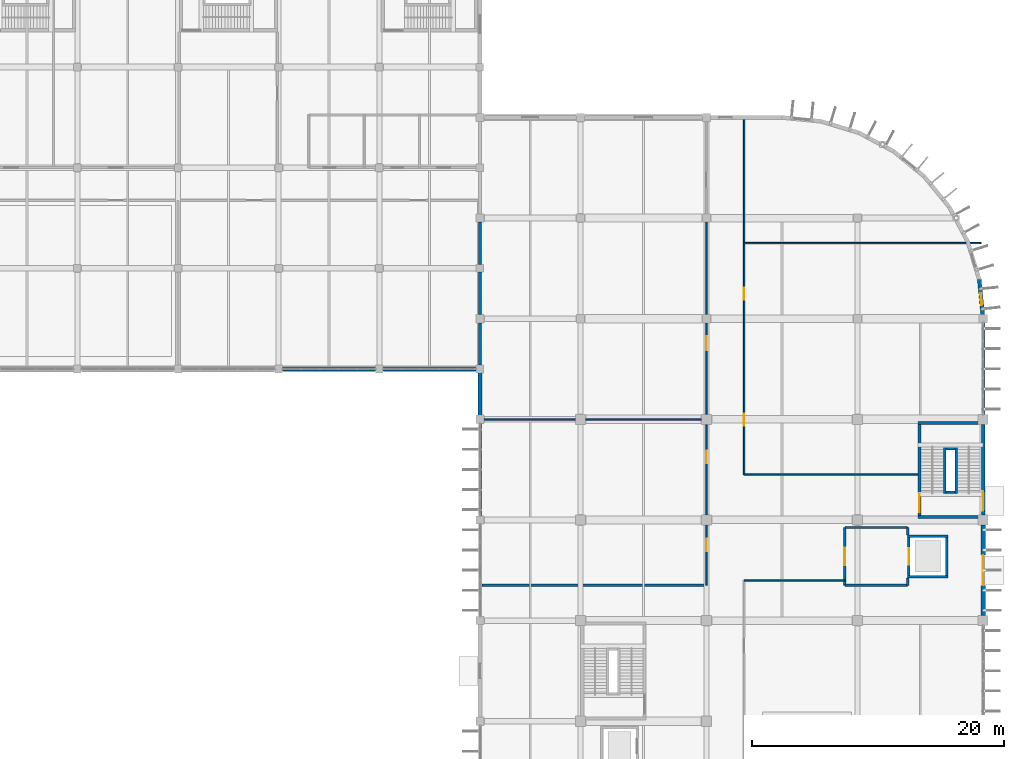
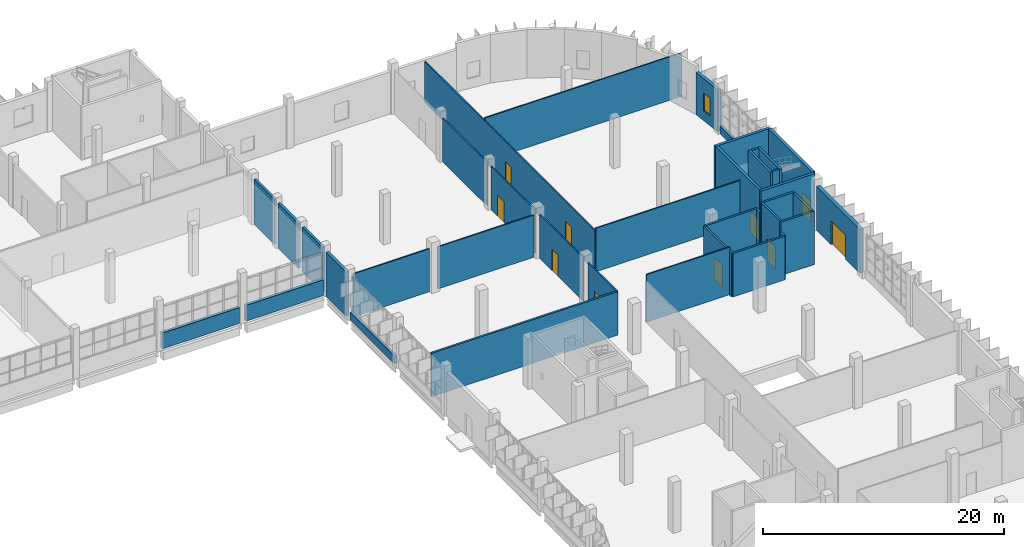
# One storey, part 82 of 103: 38 walls, 10 doors, 1 window, 11 openings.
"""IFC4 building model written with IfcOpenShell, lengths in metres."""

from ifc_helpers import new_model, si_unit, direction, frame, frame_2d, origin, place, context, subcontext, project, spatial, rectangle, extrude, material, layer, layer_set, type_object, element, fill, save


model = new_model("IFC4")

# Units and contexts
model_context = context("Model", 3, precision=1e-05, world=origin(), true_north=direction((0.0, 1.0)))
body_context = subcontext(model_context, "Body", "Model", "MODEL_VIEW")
ifc_project = project(units=[si_unit("LENGTHUNIT", "METRE"), si_unit("AREAUNIT", "SQUARE_METRE"), si_unit("VOLUMEUNIT", "CUBIC_METRE"), si_unit("PLANEANGLEUNIT", "RADIAN"), si_unit("MASSUNIT", "GRAM", prefix="KILO")], contexts=[model_context])

# Site, building, storey
site_placement = place(None, origin())
site = spatial("IfcSite", under=ifc_project, at=site_placement, CompositionType="ELEMENT")
building_placement = place(site_placement, origin())
building = spatial("IfcBuilding", under=site, at=building_placement, Name="Drelvana Railside Aquatics Centre", CompositionType="ELEMENT")
storey_placement = place(building_placement, origin())
storey = spatial("IfcBuildingStorey", under=building, at=storey_placement, Name="L00", CompositionType="ELEMENT", Elevation=0.0)

# Walls
ifc_material_1 = material(Name="Concrete blockwork compartment wall", Category="masonry")
ifc_layer_1 = layer(ifc_material_1, 0.18505859375, Name="Concrete blockwork compartment wall")
ifc_layer_set_1 = layer_set([ifc_layer_1], Name="Concrete blockwork compartment wall")
wall_type_1 = type_object("IfcWallType", Name="WL-COMP-185", PredefinedType="STANDARD", material=ifc_layer_set_1)
for number, where, z_axis, x_axis, name in (
    (1, (178.0, 66.800048828125, 0.0), (0.0, 0.0, 1.0), (-1.0, 0.0, 0.0), "Firefighting lobby FL-02 S wall (L00)"),
    (2, (173.0, 71.39990234375, 0.0), (0.0, 0.0, 1.0), (1.0, 0.0, 0.0), "Firefighting lobby FL-02 N wall (L00)"),
):
    element("IfcWall", number, at=place(storey_placement, frame(where, z_axis=z_axis, x_axis=x_axis)), inside=storey, type_object=wall_type_1, Name=name, PredefinedType="STANDARD", context=body_context, shape_type="SweptSolid", body=[
        extrude(rectangle(XDim=5.0, YDim=0.18505859375, at=frame_2d((2.5, 0.0))), origin(), (0.0, 0.0, 1.0), 4.405029296875),
    ])

# Wall, opening, door
wall_1_placement = place(storey_placement, frame((173.0, 66.800048828125, 0.0), z_axis=(0.0, 0.0, 1.0), x_axis=(0.0, 1.0, 0.0)))
wall_1 = element("IfcWall", 3, at=wall_1_placement, inside=storey, type_object=wall_type_1, Name="Firefighting lobby FL-02 COR wall (L00)", PredefinedType="STANDARD", context=body_context, shape_type="SweptSolid", body=[
    extrude(rectangle(XDim=4.599853515625, YDim=0.18505859375, at=frame_2d((2.2998046875, 0.0))), origin(), (0.0, 0.0, 1.0), 4.405029296875),
])
opening_1_placement = place(wall_1_placement, frame((1.60009765625, 0.0, 0.0)))
opening_1 = element("IfcOpeningElement", 4, at=opening_1_placement, cuts=wall_1, Name="Opening D-03-062", PredefinedType="OPENING", context=body_context, shape_type="SweptSolid", body=[
    extrude(rectangle(XDim=1.39990234375, YDim=2.199951171875, at=frame_2d((0.699951171875, 1.10009765625))), frame((0.0, 0.1025390625, 0.0), z_axis=(0.0, -1.0, 0.0), x_axis=(1.0, 0.0, 0.0)), (0.0, 0.0, 1.0), 0.205078125),
])
ifc_material_2 = material(Name="Firefighting lobby door", Category="wood")
door_type_1 = type_object("IfcDoorType", Name="DR-INT-FFLOB-1400x2200", OperationType="DOUBLE_DOOR_SINGLE_SWING", PredefinedType="DOOR", material=ifc_material_2)
door_1_placement = place(opening_1_placement, origin())
door_1 = element("IfcDoor", 5, at=door_1_placement, inside=storey, type_object=door_type_1, Name="Firefighting lobby FL-02 door D-03-062", OperationType="DOUBLE_DOOR_SINGLE_SWING", OverallHeight=2.199951171875, OverallWidth=1.39990234375, PredefinedType="DOOR", context=body_context, shape_type="SweptSolid", body=[
    extrude(rectangle(XDim=1.39990234375, YDim=2.199951171875, at=frame_2d((0.699951171875, 1.10009765625))), frame((0.0, 0.02490234375, 0.0), z_axis=(0.0, -1.0, 0.0), x_axis=(1.0, 0.0, 0.0)), (0.0, 0.0, 1.0), 0.050048828125),
])
fill(opening_1, door_1)

# Walls
for number, where, z_axis, x_axis, name in (
    (6, (178.0, 66.800048828125, 0.0), (0.0, 0.0, 1.0), (0.0, 1.0, 0.0), "Firefighting lobby FL-02 SHS wall (L00)"),
    (7, (178.0, 70.800048828125, 0.0), (0.0, 0.0, 1.0), (0.0, 1.0, 0.0), "Firefighting lobby FL-02 SHN wall (L00)"),
):
    element("IfcWall", number, at=place(storey_placement, frame(where, z_axis=z_axis, x_axis=x_axis)), inside=storey, type_object=wall_type_1, Name=name, PredefinedType="STANDARD", context=body_context, shape_type="SweptSolid", body=[
        extrude(rectangle(XDim=0.599853515625, YDim=0.18505859375, at=frame_2d((0.2998046875, 0.0))), origin(), (0.0, 0.0, 1.0), 4.405029296875),
    ])
wall_2_placement = place(storey_placement, frame((144.14990234375, 66.800048828125, 0.0), z_axis=(0.0, 0.0, 1.0), x_axis=(1.0, 0.0, 0.0)))
element("IfcWall", 8, at=wall_2_placement, inside=storey, type_object=wall_type_1, Name="L00 North-west exit passage N wall", PredefinedType="STANDARD", context=body_context, shape_type="SweptSolid", body=[
    extrude(rectangle(XDim=17.85009765625, YDim=0.18505859375, at=frame_2d((8.925048828125, 0.0))), origin(), (0.0, 0.0, 1.0), 4.405029296875),
])
ifc_material_3 = material(Name="Autoclaved aerated concrete masonry", Category="masonry")
ifc_layer_2 = layer(ifc_material_3, 0.22509765625, Name="Autoclaved aerated concrete masonry")
ifc_layer_set_2 = layer_set([ifc_layer_2], Name="Autoclaved aerated concrete masonry")
wall_type_2 = type_object("IfcWallType", Name="WL-COMP-225", PredefinedType="STANDARD", material=ifc_layer_set_2)
for number, where, z_axis, x_axis, name in (
    (9, (144.0, 84.302001953125, 0.0), (0.0, 0.0, 1.0), (0.0, 1.0, 0.0), "L00 Changing-Wing compartment wall"),
    (10, (144.0, 88.326904296875, 0.0), (0.0, 0.0, 1.0), (0.0, 1.0, 0.0), "L00 Changing-Wing compartment wall"),
    (11, (144.0, 92.302001953125, 0.0), (0.0, 0.0, 1.0), (0.0, 1.0, 0.0), "L00 Changing-Wing compartment wall"),
):
    element("IfcWall", number, at=place(storey_placement, frame(where, z_axis=z_axis, x_axis=x_axis)), inside=storey, type_object=wall_type_2, Name=name, PredefinedType="STANDARD", context=body_context, shape_type="SweptSolid", body=[
        extrude(rectangle(XDim=3.37109375, YDim=0.22509765625, at=frame_2d((1.685546875, 0.0))), origin(), (0.0, 0.0, 1.0), 4.554931640625),
    ])
ifc_material_4 = material(Name="Concrete C40/50", Category="concrete")
ifc_layer_3 = layer(ifc_material_4, 0.25, Name="Concrete C40/50")
ifc_layer_set_3 = layer_set([ifc_layer_3], Name="Concrete C40/50")
wall_type_3 = type_object("IfcWallType", Name="WL-CORE-250", PredefinedType="SHEAR", material=ifc_layer_set_3)
for number, where, z_axis, x_axis, name in (
    (12, (178.800048828125, 72.22509765625, 0.0), (0.0, 0.0, 1.0), (1.0, 0.0, 0.0), "Core 7 Federation Wing Avenue-East S core wall (L00)"),
    (13, (178.800048828125, 79.715087890625, 0.0), (0.0, 0.0, 1.0), (1.0, 0.0, 0.0), "Core 7 Federation Wing Avenue-East N core wall (L00)"),
):
    element("IfcWall", number, at=place(storey_placement, frame(where, z_axis=z_axis, x_axis=x_axis)), inside=storey, type_object=wall_type_3, Name=name, PredefinedType="SHEAR", context=body_context, shape_type="SweptSolid", body=[
        extrude(rectangle(XDim=5.199951171875, YDim=0.25, at=frame_2d((2.60009765625, 0.0))), origin(), (0.0, 0.0, 1.0), 5.39990234375),
    ])

# Wall, opening, door
wall_3_placement = place(storey_placement, frame((178.925048828125, 72.35009765625, 0.0), z_axis=(0.0, 0.0, 1.0), x_axis=(0.0, 1.0, 0.0)))
wall_3 = element("IfcWall", 14, at=wall_3_placement, inside=storey, type_object=wall_type_3, Name="Core 7 Federation Wing Avenue-East W core wall (L00)", PredefinedType="SHEAR", context=body_context, shape_type="SweptSolid", body=[
    extrude(rectangle(XDim=7.239990234375, YDim=0.25, at=frame_2d((3.6201171875, 0.0))), origin(), (0.0, 0.0, 1.0), 5.39990234375),
])
opening_2_placement = place(wall_3_placement, frame((0.25, 0.0, 0.0)))
opening_2 = element("IfcOpeningElement", 15, at=opening_2_placement, cuts=wall_3, Name="Opening D-01-054", PredefinedType="OPENING", context=body_context, shape_type="SweptSolid", body=[
    extrude(rectangle(XDim=1.449951171875, YDim=2.199951171875, at=frame_2d((0.72509765625, 1.10009765625))), frame((0.0, 0.135009765625, 0.0), z_axis=(0.0, -1.0, 0.0), x_axis=(1.0, 0.0, 0.0)), (0.0, 0.0, 1.0), 0.27001953125),
])
ifc_material_5 = material(Name="Fire-rated steel and vision-panel door", Category="steel")
door_type_2 = type_object("IfcDoorType", Name="DR-INT-STAIR-1450x2200", OperationType="DOUBLE_DOOR_SINGLE_SWING", PredefinedType="DOOR", material=ifc_material_5)
door_2_placement = place(opening_2_placement, origin())
door_2 = element("IfcDoor", 16, at=door_2_placement, inside=storey, type_object=door_type_2, Name="Stair ST-07 lobby door D-01-054", OperationType="DOUBLE_DOOR_SINGLE_SWING", OverallHeight=2.199951171875, OverallWidth=1.449951171875, PredefinedType="DOOR", context=body_context, shape_type="SweptSolid", body=[
    extrude(rectangle(XDim=1.449951171875, YDim=2.199951171875, at=frame_2d((0.72509765625, 1.10009765625))), frame((0.0, 0.02490234375, 0.0), z_axis=(0.0, -1.0, 0.0), x_axis=(1.0, 0.0, 0.0)), (0.0, 0.0, 1.0), 0.050048828125),
])
fill(opening_2, door_2)

ifc_layer_4 = layer(ifc_material_4, 0.300048828125, Name="Concrete C40/50")
ifc_layer_set_4 = layer_set([ifc_layer_4], Name="Concrete C40/50")
wall_type_4 = type_object("IfcWallType", Name="WL-CORE-300", PredefinedType="SHEAR", material=ifc_layer_set_4)
wall_4_placement = place(storey_placement, frame((184.0, 72.39599609375, 0.0), z_axis=(0.0, 0.0, 1.0), x_axis=(0.0, 1.0, 0.0)))
wall_4 = element("IfcWall", 17, at=wall_4_placement, inside=storey, type_object=wall_type_4, Name="Core east avenue shear wall 72 (L00)", PredefinedType="SHEAR", context=body_context, shape_type="SweptSolid", body=[
    extrude(rectangle(XDim=7.2080078125, YDim=0.300048828125, at=frame_2d((3.60400390625, 0.0))), origin(), (0.0, 0.0, 1.0), 5.39990234375),
])
opening_3_placement = place(wall_4_placement, frame((0.333984375, 0.0, 0.0)))
opening_3 = element("IfcOpeningElement", 18, at=opening_3_placement, cuts=wall_4, Name="Opening EX-03-026", PredefinedType="OPENING", context=body_context, shape_type="SweptSolid", body=[
    extrude(rectangle(XDim=1.550048828125, YDim=2.199951171875, at=frame_2d((0.77490234375, 1.10009765625))), frame((0.0, 0.159912109375, 0.0), z_axis=(0.0, -1.0, 0.0), x_axis=(1.0, 0.0, 0.0)), (0.0, 0.0, 1.0), 0.320068359375),
])
ifc_material_6 = material(Name="Thermally broken bronze-anodised aluminium and glazed door", Category="aluminium")
door_type_3 = type_object("IfcDoorType", Name="DR-EXT-EXIT-1550x2200", OperationType="DOUBLE_DOOR_SINGLE_SWING", PredefinedType="DOOR", material=ifc_material_6)
door_3_placement = place(opening_3_placement, frame((1.550048828125, 0.0, 0.0), z_axis=(0.0, 0.0, 1.0), x_axis=(-1.0, 0.0, 0.0)))
door_3 = element("IfcDoor", 19, at=door_3_placement, inside=storey, type_object=door_type_3, Name="Stair east final exit door 72 EX-03-026", OperationType="DOUBLE_DOOR_SINGLE_SWING", OverallHeight=2.199951171875, OverallWidth=1.550048828125, PredefinedType="DOOR", context=body_context, shape_type="SweptSolid", body=[
    extrude(rectangle(XDim=1.550048828125, YDim=2.199951171875, at=frame_2d((0.77490234375, 1.10009765625))), frame((0.0, 0.02490234375, 0.0), z_axis=(0.0, -1.0, 0.0), x_axis=(1.0, 0.0, 0.0)), (0.0, 0.0, 1.0), 0.050048828125),
])
fill(opening_3, door_3)

ifc_material_7 = material(Name="Acoustic twin-stud gypsum partition", Category="gypsum")
ifc_layer_5 = layer(ifc_material_7, 0.1201171875, Name="Acoustic twin-stud gypsum partition")
ifc_layer_set_5 = layer_set([ifc_layer_5], Name="Acoustic twin-stud gypsum partition")
wall_type_5 = type_object("IfcWallType", Name="WL-DRY-120", PredefinedType="PARTITIONING", material=ifc_layer_set_5)
wall_5_placement = place(storey_placement, frame((162.0, 66.800048828125, 0.0), z_axis=(0.0, 0.0, 1.0), x_axis=(0.0, 1.0, 0.0)))
wall_5 = element("IfcWall", 20, at=wall_5_placement, inside=storey, type_object=wall_type_5, Name="V5 L00 west corridor wall", PredefinedType="PARTITIONING", context=body_context, shape_type="SweptSolid", body=[
    extrude(rectangle(XDim=4.7978515625, YDim=0.1201171875, at=frame_2d((2.39892578125, 0.0))), origin(), (0.0, 0.0, 1.0), 4.405029296875),
])
opening_4_placement = place(wall_5_placement, frame((2.699951171875, 0.0, 0.0)))
opening_4 = element("IfcOpeningElement", 21, at=opening_4_placement, cuts=wall_5, Name="Opening D-09-196", PredefinedType="OPENING", context=body_context, shape_type="SweptSolid", body=[
    extrude(rectangle(XDim=1.0, YDim=2.14990234375, at=frame_2d((0.5, 1.074951171875))), frame((0.0, 0.070068359375, 0.0), z_axis=(0.0, -1.0, 0.0), x_axis=(1.0, 0.0, 0.0)), (0.0, 0.0, 1.0), 0.14013671875),
])
ifc_material_8 = material(Name="Hardwood acoustic room door", Category="wood")
door_type_4 = type_object("IfcDoorType", Name="DR-INT-ROOM-1000x2150", OperationType="NOTDEFINED", PredefinedType="DOOR", material=ifc_material_8)
door_4_placement = place(opening_4_placement, origin())
door_4 = element("IfcDoor", 22, at=door_4_placement, inside=storey, type_object=door_type_4, Name="Physician consultation south door D-09-196", OperationType="SINGLE_SWING_RIGHT", OverallHeight=2.14990234375, OverallWidth=1.0, PredefinedType="DOOR", context=body_context, shape_type="SweptSolid", body=[
    extrude(rectangle(XDim=1.0, YDim=2.14990234375, at=frame_2d((0.5, 1.074951171875))), frame((0.0, 0.02490234375, 0.0), z_axis=(0.0, -1.0, 0.0), x_axis=(1.0, 0.0, 0.0)), (0.0, 0.0, 1.0), 0.050048828125),
])
fill(opening_4, door_4)

wall_6_placement = place(storey_placement, frame((162.0, 72.402099609375, 0.0), z_axis=(0.0, 0.0, 1.0), x_axis=(0.0, 1.0, 0.0)))
wall_6 = element("IfcWall", 23, at=wall_6_placement, inside=storey, type_object=wall_type_5, Name="V5 L00 west corridor wall", PredefinedType="PARTITIONING", context=body_context, shape_type="SweptSolid", body=[
    extrude(rectangle(XDim=7.19580078125, YDim=0.1201171875, at=frame_2d((3.597900390625, 0.0))), origin(), (0.0, 0.0, 1.0), 4.405029296875),
])
opening_5_placement = place(wall_6_placement, frame((4.097900390625, 0.0, 0.0)))
opening_5 = element("IfcOpeningElement", 24, at=opening_5_placement, cuts=wall_6, Name="Opening D-09-197", PredefinedType="OPENING", context=body_context, shape_type="SweptSolid", body=[
    extrude(rectangle(XDim=1.0, YDim=2.14990234375, at=frame_2d((0.5, 1.074951171875))), frame((0.0, 0.070068359375, 0.0), z_axis=(0.0, -1.0, 0.0), x_axis=(1.0, 0.0, 0.0)), (0.0, 0.0, 1.0), 0.14013671875),
])
door_5_placement = place(opening_5_placement, origin())
door_5 = element("IfcDoor", 25, at=door_5_placement, inside=storey, type_object=door_type_4, Name="Physician consultation north door D-09-197", OperationType="SINGLE_SWING_LEFT", OverallHeight=2.14990234375, OverallWidth=1.0, PredefinedType="DOOR", context=body_context, shape_type="SweptSolid", body=[
    extrude(rectangle(XDim=1.0, YDim=2.14990234375, at=frame_2d((0.5, 1.074951171875))), frame((0.0, 0.02490234375, 0.0), z_axis=(0.0, -1.0, 0.0), x_axis=(1.0, 0.0, 0.0)), (0.0, 0.0, 1.0), 0.050048828125),
])
fill(opening_5, door_5)

wall_7_placement = place(storey_placement, frame((162.0, 80.402099609375, 0.0), z_axis=(0.0, 0.0, 1.0), x_axis=(0.0, 1.0, 0.0)))
wall_7 = element("IfcWall", 26, at=wall_7_placement, inside=storey, type_object=wall_type_5, Name="V5 L00 west corridor wall", PredefinedType="PARTITIONING", context=body_context, shape_type="SweptSolid", body=[
    extrude(rectangle(XDim=7.27099609375, YDim=0.1201171875, at=frame_2d((3.635498046875, 0.0))), origin(), (0.0, 0.0, 1.0), 4.405029296875),
])
opening_6_placement = place(wall_7_placement, frame((5.097900390625, 0.0, 0.0)))
opening_6 = element("IfcOpeningElement", 27, at=opening_6_placement, cuts=wall_7, Name="Opening D-08-198", PredefinedType="OPENING", context=body_context, shape_type="SweptSolid", body=[
    extrude(rectangle(XDim=1.10009765625, YDim=2.14990234375, at=frame_2d((0.550048828125, 1.074951171875))), frame((0.0, 0.070068359375, 0.0), z_axis=(0.0, -1.0, 0.0), x_axis=(1.0, 0.0, 0.0)), (0.0, 0.0, 1.0), 0.14013671875),
])
ifc_material_9 = material(Name="Moisture-resistant phenolic changing door", Category="wood")
door_type_5 = type_object("IfcDoorType", Name="DR-INT-CHG-1100x2150", OperationType="NOTDEFINED", PredefinedType="DOOR", material=ifc_material_9)
door_6_placement = place(opening_6_placement, origin())
door_6 = element("IfcDoor", 28, at=door_6_placement, inside=storey, type_object=door_type_5, Name="Athlete recovery changing south door D-08-198", OperationType="SINGLE_SWING_RIGHT", OverallHeight=2.14990234375, OverallWidth=1.10009765625, PredefinedType="DOOR", context=body_context, shape_type="SweptSolid", body=[
    extrude(rectangle(XDim=1.10009765625, YDim=2.14990234375, at=frame_2d((0.550048828125, 1.074951171875))), frame((0.0, 0.02490234375, 0.0), z_axis=(0.0, -1.0, 0.0), x_axis=(1.0, 0.0, 0.0)), (0.0, 0.0, 1.0), 0.050048828125),
])
fill(opening_6, door_6)

# Walls
wall_8_placement = place(storey_placement, frame((162.0, 88.326904296875, 0.0), z_axis=(0.0, 0.0, 1.0), x_axis=(0.0, 1.0, 0.0)))
element("IfcWall", 29, at=wall_8_placement, inside=storey, type_object=wall_type_5, Name="V5 L00 west corridor wall", PredefinedType="PARTITIONING", context=body_context, shape_type="SweptSolid", body=[
    extrude(rectangle(XDim=7.34619140625, YDim=0.1201171875, at=frame_2d((3.673095703125, 0.0))), origin(), (0.0, 0.0, 1.0), 4.405029296875),
])
wall_9_placement = place(storey_placement, frame((144.326904296875, 80.0, 0.0), z_axis=(0.0, 0.0, 1.0), x_axis=(1.0, 0.0, 0.0)))
element("IfcWall", 30, at=wall_9_placement, inside=storey, type_object=wall_type_5, Name="V5 L00 west room divider", PredefinedType="PARTITIONING", context=body_context, shape_type="SweptSolid", body=[
    extrude(rectangle(XDim=7.27099609375, YDim=0.1201171875, at=frame_2d((3.635498046875, 0.0))), origin(), (0.0, 0.0, 1.0), 4.35498046875),
])
wall_10_placement = place(storey_placement, frame((152.402099609375, 80.0, 0.0), z_axis=(0.0, 0.0, 1.0), x_axis=(1.0, 0.0, 0.0)))
element("IfcWall", 31, at=wall_10_placement, inside=storey, type_object=wall_type_5, Name="V5 L00 west room divider", PredefinedType="PARTITIONING", context=body_context, shape_type="SweptSolid", body=[
    extrude(rectangle(XDim=9.19580078125, YDim=0.1201171875, at=frame_2d((4.597900390625, 0.0))), origin(), (0.0, 0.0, 1.0), 4.2548828125),
])

# Wall, openings, doors
wall_11_placement = place(storey_placement, frame((165.0, 75.60009765625, 0.0), z_axis=(0.0, 0.0, 1.0), x_axis=(0.0, 1.0, 0.0)))
wall_11 = element("IfcWall", 32, at=wall_11_placement, inside=storey, type_object=wall_type_5, Name="V5 L00 east corridor wall", PredefinedType="PARTITIONING", context=body_context, shape_type="SweptSolid", body=[
    extrude(rectangle(XDim=28.25, YDim=0.1201171875, at=frame_2d((14.125, 0.0))), origin(), (0.0, 0.0, 1.0), 4.155029296875),
])
opening_7_placement = place(wall_11_placement, frame((3.89990234375, 0.0, 0.0)))
opening_7 = element("IfcOpeningElement", 33, at=opening_7_placement, cuts=wall_11, Name="Opening D-10-207", PredefinedType="OPENING", context=body_context, shape_type="SweptSolid", body=[
    extrude(rectangle(XDim=0.949951171875, YDim=2.14990234375, at=frame_2d((0.47509765625, 1.074951171875))), frame((0.0, 0.070068359375, 0.0), z_axis=(0.0, -1.0, 0.0), x_axis=(1.0, 0.0, 0.0)), (0.0, 0.0, 1.0), 0.14013671875),
])
opening_8_placement = place(wall_11_placement, frame((13.89990234375, 0.0, 0.0)))
opening_8 = element("IfcOpeningElement", 34, at=opening_8_placement, cuts=wall_11, Name="Opening D-10-208", PredefinedType="OPENING", context=body_context, shape_type="SweptSolid", body=[
    extrude(rectangle(XDim=0.949951171875, YDim=2.14990234375, at=frame_2d((0.47509765625, 1.074951171875))), frame((0.0, 0.070068359375, 0.0), z_axis=(0.0, -1.0, 0.0), x_axis=(1.0, 0.0, 0.0)), (0.0, 0.0, 1.0), 0.14013671875),
])
ifc_material_10 = material(Name="Timber veneer office door", Category="wood")
door_type_6 = type_object("IfcDoorType", Name="DR-INT-OFF-950x2150", OperationType="NOTDEFINED", PredefinedType="DOOR", material=ifc_material_10)
door_7_placement = place(opening_7_placement, origin())
door_7 = element("IfcDoor", 35, at=door_7_placement, inside=storey, type_object=door_type_6, Name="Dispatch office south door D-10-207", OperationType="SINGLE_SWING_LEFT", OverallHeight=2.14990234375, OverallWidth=0.949951171875, PredefinedType="DOOR", context=body_context, shape_type="SweptSolid", body=[
    extrude(rectangle(XDim=0.949951171875, YDim=2.14990234375, at=frame_2d((0.47509765625, 1.074951171875))), frame((0.0, 0.02490234375, 0.0), z_axis=(0.0, -1.0, 0.0), x_axis=(1.0, 0.0, 0.0)), (0.0, 0.0, 1.0), 0.050048828125),
])
fill(opening_7, door_7)
door_8_placement = place(opening_8_placement, origin())
door_8 = element("IfcDoor", 36, at=door_8_placement, inside=storey, type_object=door_type_6, Name="Dispatch office north door D-10-208", OperationType="SINGLE_SWING_RIGHT", OverallHeight=2.14990234375, OverallWidth=0.949951171875, PredefinedType="DOOR", context=body_context, shape_type="SweptSolid", body=[
    extrude(rectangle(XDim=0.949951171875, YDim=2.14990234375, at=frame_2d((0.47509765625, 1.074951171875))), frame((0.0, 0.02490234375, 0.0), z_axis=(0.0, -1.0, 0.0), x_axis=(1.0, 0.0, 0.0)), (0.0, 0.0, 1.0), 0.050048828125),
])
fill(opening_8, door_8)

# Walls
wall_12_placement = place(storey_placement, frame((165.0, 67.199951171875, 0.0), z_axis=(0.0, 0.0, 1.0), x_axis=(1.0, 0.0, 0.0)))
element("IfcWall", 37, at=wall_12_placement, inside=storey, type_object=wall_type_5, Name="L00 C7 branch S wall", PredefinedType="PARTITIONING", context=body_context, shape_type="SweptSolid", body=[
    extrude(rectangle(XDim=8.0, YDim=0.1201171875, at=frame_2d((4.0, 0.0))), origin(), (0.0, 0.0, 1.0), 4.804931640625),
])
wall_13_placement = place(storey_placement, frame((165.0, 75.60009765625, 0.0), z_axis=(0.0, 0.0, 1.0), x_axis=(1.0, 0.0, 0.0)))
element("IfcWall", 38, at=wall_13_placement, inside=storey, type_object=wall_type_5, Name="L00 C7 branch N wall", PredefinedType="PARTITIONING", context=body_context, shape_type="SweptSolid", body=[
    extrude(rectangle(XDim=13.800048828125, YDim=0.1201171875, at=frame_2d((6.89990234375, 0.0))), origin(), (0.0, 0.0, 1.0), 4.405029296875),
])
wall_14_placement = place(storey_placement, frame((165.0, 94.0, 0.0), z_axis=(0.0, 0.0, 1.0), x_axis=(1.0, 0.0, 0.0)))
element("IfcWall", 39, at=wall_14_placement, inside=storey, type_object=wall_type_5, Name="L00 East room divider", PredefinedType="PARTITIONING", context=body_context, shape_type="SweptSolid", body=[
    extrude(rectangle(XDim=18.840087890625, YDim=0.1201171875, at=frame_2d((9.419921875, 0.0))), origin(), (0.0, 0.0, 1.0), 4.405029296875),
])
ifc_material_11 = material(Name="Glazed ceramic spandrel wall", Category="masonry")
ifc_layer_6 = layer(ifc_material_11, 0.27001953125, Name="Glazed ceramic spandrel wall")
ifc_layer_set_6 = layer_set([ifc_layer_6], Name="Glazed ceramic spandrel wall")
wall_type_6 = type_object("IfcWallType", Name="WL-EXT-270", PredefinedType="STANDARD", material=ifc_layer_set_6)
wall_15_placement = place(storey_placement, frame((144.0, 72.321044921875, 0.0), z_axis=(0.0, 0.0, 1.0), x_axis=(0.0, 1.0, 0.0)))
element("IfcWall", 40, at=wall_15_placement, inside=storey, type_object=wall_type_6, Name="V5 West L00 sill spandrel", PredefinedType="STANDARD", context=body_context, shape_type="SweptSolid", body=[
    extrude(rectangle(XDim=7.35791015625, YDim=0.27001953125, at=frame_2d((3.678955078125, 0.0))), origin(), (0.0, 0.0, 1.0), 0.800048828125),
])
wall_16_placement = place(storey_placement, frame((184.0, 80.39599609375, 0.0), z_axis=(0.0, 0.0, 1.0), x_axis=(0.0, 1.0, 0.0)))
element("IfcWall", 41, at=wall_16_placement, inside=storey, type_object=wall_type_6, Name="V5 East L00 sill spandrel", PredefinedType="STANDARD", context=body_context, shape_type="SweptSolid", body=[
    extrude(rectangle(XDim=7.282958984375, YDim=0.27001953125, at=frame_2d((3.6416015625, 0.0))), origin(), (0.0, 0.0, 1.0), 0.800048828125),
])
ifc_material_12 = material(Name="Glazed ceramic and masonry facade wall", Category="masonry")
ifc_layer_7 = layer(ifc_material_12, 0.2900390625, Name="Glazed ceramic and masonry facade wall")
ifc_layer_set_7 = layer_set([ifc_layer_7], Name="Glazed ceramic and masonry facade wall")
wall_type_7 = type_object("IfcWallType", Name="WL-EXT-290", PredefinedType="STANDARD", material=ifc_layer_set_7)
for number, where, z_axis, x_axis, name in (
    (42, (128.2958984375, 84.0, 0.0), (0.0, 0.0, 1.0), (1.0, 0.0, 0.0), "Changing pavilion privacy sill wall"),
    (43, (136.2958984375, 84.0, 0.0), (0.0, 0.0, 1.0), (1.0, 0.0, 0.0), "Changing pavilion privacy sill wall"),
):
    element("IfcWall", number, at=place(storey_placement, frame(where, z_axis=z_axis, x_axis=x_axis)), inside=storey, type_object=wall_type_7, Name=name, PredefinedType="STANDARD", context=body_context, shape_type="SweptSolid", body=[
        extrude(rectangle(XDim=7.408203125, YDim=0.2900390625, at=frame_2d((3.7041015625, 0.0))), origin(), (0.0, 0.0, 1.0), 1.60009765625),
    ])
wall_17_placement = place(storey_placement, frame((144.0, 80.321044921875, 0.0), z_axis=(0.0, 0.0, 1.0), x_axis=(0.0, 1.0, 0.0)))
element("IfcWall", 44, at=wall_17_placement, inside=storey, type_object=wall_type_7, Name="V5 West pier wall 80", PredefinedType="STANDARD", context=body_context, shape_type="SweptSolid", body=[
    extrude(rectangle(XDim=3.383056640625, YDim=0.2900390625, at=frame_2d((1.69140625, 0.0))), origin(), (0.0, 0.0, 1.0), 4.449951171875),
])

# Wall, opening, window
ifc_material_13 = material(Name="Terracotta rainscreen masonry wall", Category="masonry")
ifc_layer_8 = layer(ifc_material_13, 0.31005859375, Name="Terracotta rainscreen masonry wall")
ifc_layer_set_8 = layer_set([ifc_layer_8], Name="Terracotta rainscreen masonry wall")
wall_type_8 = type_object("IfcWallType", Name="WL-EXT-310", PredefinedType="STANDARD", material=ifc_layer_set_8)
wall_18_placement = place(storey_placement, frame((184.0, 88.0, 0.0), z_axis=(0.0, 0.0, 1.0), x_axis=(-0.098000751113, 0.995186340733, 0.0)))
wall_18 = element("IfcWall", 45, at=wall_18_placement, inside=storey, type_object=wall_type_8, Name="V5NE curved wall 1", PredefinedType="STANDARD", context=body_context, shape_type="SweptSolid", body=[
    extrude(rectangle(XDim=3.136474609375, YDim=0.31005859375, at=frame_2d((1.568359375, 0.0))), origin(), (0.0, 0.0, 1.0), 4.2548828125),
])
opening_9_placement = place(wall_18_placement, frame((1.09326171875, 0.0, 1.0)))
opening_9 = element("IfcOpeningElement", 46, at=opening_9_placement, cuts=wall_18, Name="Opening W-03", PredefinedType="OPENING", context=body_context, shape_type="SweptSolid", body=[
    extrude(rectangle(XDim=0.949951171875, YDim=1.800048828125, at=frame_2d((0.47509765625, 0.89990234375))), frame((0.0, 0.1650390625, 0.0), z_axis=(0.0, -1.0, 0.0), x_axis=(1.0, 0.0, 0.0)), (0.0, 0.0, 1.0), 0.330078125),
])
ifc_material_14 = material(Name="Double-glazed solar-control aluminium window", Category="aluminium")
window_type = type_object("IfcWindowType", Name="WIN-03", PartitioningType="SINGLE_PANEL", PredefinedType="WINDOW", material=ifc_material_14)
window_placement = place(opening_9_placement, origin())
window = element("IfcWindow", 47, at=window_placement, inside=storey, type_object=window_type, Name="V5NE curved window WIN-03", OverallHeight=1.800048828125, OverallWidth=0.949951171875, PartitioningType="SINGLE_PANEL", PredefinedType="WINDOW", context=body_context, shape_type="SweptSolid", body=[
    extrude(rectangle(XDim=0.949951171875, YDim=1.800048828125, at=frame_2d((0.47509765625, 0.89990234375))), frame((0.0, 0.030029296875, 0.0), z_axis=(0.0, -1.0, 0.0), x_axis=(1.0, 0.0, 0.0)), (0.0, 0.0, 1.0), 0.06005859375),
])
fill(opening_9, window)

# Wall, opening, door
ifc_material_15 = material(Name="Abuja granite ashlar cavity wall", Category="masonry")
ifc_layer_9 = layer(ifc_material_15, 0.330078125, Name="Abuja granite ashlar cavity wall")
ifc_layer_set_9 = layer_set([ifc_layer_9], Name="Abuja granite ashlar cavity wall")
wall_type_9 = type_object("IfcWallType", Name="WL-EXT-330", PredefinedType="STANDARD", material=ifc_layer_set_9)
wall_19_placement = place(storey_placement, frame((184.0, 64.39599609375, 0.0), z_axis=(0.0, 0.0, 1.0), x_axis=(0.0, 1.0, 0.0)))
wall_19 = element("IfcWall", 48, at=wall_19_placement, inside=storey, type_object=wall_type_9, Name="East avenue entrance bay 64", PredefinedType="STANDARD", context=body_context, shape_type="SweptSolid", body=[
    extrude(rectangle(XDim=7.2080078125, YDim=0.330078125, at=frame_2d((3.60400390625, 0.0))), origin(), (0.0, 0.0, 1.0), 4.449951171875),
])
opening_10_placement = place(wall_19_placement, frame((2.404052734375, 0.0, 0.0)))
opening_10 = element("IfcOpeningElement", 49, at=opening_10_placement, cuts=wall_19, Name="Opening EX-02-025", PredefinedType="OPENING", context=body_context, shape_type="SweptSolid", body=[
    extrude(rectangle(XDim=2.39990234375, YDim=2.39990234375, at=frame_2d((1.199951171875, 1.199951171875))), frame((0.0, 0.175048828125, 0.0), z_axis=(0.0, -1.0, 0.0), x_axis=(1.0, 0.0, 0.0)), (0.0, 0.0, 1.0), 0.35009765625),
])
door_type_7 = type_object("IfcDoorType", Name="DR-EXT-FOY-2400x2400", OperationType="DOUBLE_DOOR_SINGLE_SWING", PredefinedType="DOOR", material=ifc_material_6)
door_9_placement = place(opening_10_placement, frame((2.39990234375, 0.0, 0.0), z_axis=(0.0, 0.0, 1.0), x_axis=(-1.0, 0.0, 0.0)))
door_9 = element("IfcDoor", 50, at=door_9_placement, inside=storey, type_object=door_type_7, Name="East avenue entrance door EX-02-025", OperationType="DOUBLE_DOOR_SINGLE_SWING", OverallHeight=2.39990234375, OverallWidth=2.39990234375, PredefinedType="DOOR", context=body_context, shape_type="SweptSolid", body=[
    extrude(rectangle(XDim=2.39990234375, YDim=2.39990234375, at=frame_2d((1.199951171875, 1.199951171875))), frame((0.0, 0.02490234375, 0.0), z_axis=(0.0, -1.0, 0.0), x_axis=(1.0, 0.0, 0.0)), (0.0, 0.0, 1.0), 0.050048828125),
])
fill(opening_10, door_9)

# Walls
ifc_layer_10 = layer(ifc_material_4, 0.199951171875, Name="Concrete C40/50")
ifc_layer_set_10 = layer_set([ifc_layer_10], Name="Concrete C40/50")
wall_type_10 = type_object("IfcWallType", Name="WL-SHFT-200", PredefinedType="SHEAR", material=ifc_layer_set_10)
for number, where, z_axis, x_axis, name in (
    (51, (180.949951171875, 74.090087890625, 0.0), (0.0, 0.0, 1.0), (0.0, 1.0, 0.0), "Stair ST-07 central spine wall A (L00)"),
    (52, (181.85009765625, 74.090087890625, 0.0), (0.0, 0.0, 1.0), (0.0, 1.0, 0.0), "Stair ST-07 central spine wall B (L00)"),
):
    element("IfcWall", number, at=place(storey_placement, frame(where, z_axis=z_axis, x_axis=x_axis)), inside=storey, type_object=wall_type_10, Name=name, PredefinedType="SHEAR", context=body_context, shape_type="SweptSolid", body=[
        extrude(rectangle(XDim=3.659912109375, YDim=0.199951171875, at=frame_2d((1.830078125, 0.0))), origin(), (0.0, 0.0, 1.0), 5.39990234375),
    ])
for number, where, z_axis, x_axis, name in (
    (53, (181.050048828125, 74.18994140625, 0.0), (0.0, 0.0, 1.0), (1.0, 0.0, 0.0), "Stair ST-07 central spine wall S (L00)"),
    (54, (181.050048828125, 77.64990234375, 0.0), (0.0, 0.0, 1.0), (1.0, 0.0, 0.0), "Stair ST-07 central spine wall N (L00)"),
):
    element("IfcWall", number, at=place(storey_placement, frame(where, z_axis=z_axis, x_axis=x_axis)), inside=storey, type_object=wall_type_10, Name=name, PredefinedType="SHEAR", context=body_context, shape_type="SweptSolid", body=[
        extrude(rectangle(XDim=0.699951171875, YDim=0.199951171875, at=frame_2d((0.35009765625, 0.0))), origin(), (0.0, 0.0, 1.0), 5.39990234375),
    ])
for number, where, z_axis, x_axis, name in (
    (55, (178.0, 67.5, 0.0), (0.0, 0.0, 1.0), (1.0, 0.0, 0.0), "Lift FL-02 S shaft wall (L00)"),
    (56, (178.0, 70.699951171875, 0.0), (0.0, 0.0, 1.0), (1.0, 0.0, 0.0), "Lift FL-02 N shaft wall (L00)"),
):
    element("IfcWall", number, at=place(storey_placement, frame(where, z_axis=z_axis, x_axis=x_axis)), inside=storey, type_object=wall_type_10, Name=name, PredefinedType="SHEAR", context=body_context, shape_type="SweptSolid", body=[
        extrude(rectangle(XDim=3.199951171875, YDim=0.199951171875, at=frame_2d((1.60009765625, 0.0))), origin(), (0.0, 0.0, 1.0), 5.39990234375),
    ])

# Wall, opening, door
wall_20_placement = place(storey_placement, frame((178.10009765625, 67.60009765625, 0.0), z_axis=(0.0, 0.0, 1.0), x_axis=(0.0, 1.0, 0.0)))
wall_20 = element("IfcWall", 57, at=wall_20_placement, inside=storey, type_object=wall_type_10, Name="Lift FL-02 W shaft wall (L00)", PredefinedType="SHEAR", context=body_context, shape_type="SweptSolid", body=[
    extrude(rectangle(XDim=3.0, YDim=0.199951171875, at=frame_2d((1.5, 0.0))), origin(), (0.0, 0.0, 1.0), 5.39990234375),
])
opening_11_placement = place(wall_20_placement, frame((0.85009765625, 0.0, 0.0)))
opening_11 = element("IfcOpeningElement", 58, at=opening_11_placement, cuts=wall_20, Name="Opening LD-02-061", PredefinedType="OPENING", context=body_context, shape_type="SweptSolid", body=[
    extrude(rectangle(XDim=1.300048828125, YDim=2.300048828125, at=frame_2d((0.64990234375, 1.14990234375))), frame((0.0, 0.10986328125, 0.0), z_axis=(0.0, -1.0, 0.0), x_axis=(1.0, 0.0, 0.0)), (0.0, 0.0, 1.0), 0.219970703125),
])
ifc_material_16 = material(Name="Firefighting & goods lift sliding door", Category="wood")
door_type_8 = type_object("IfcDoorType", Name="DR-LIFT-LD-1300x2300", OperationType="SLIDING_TO_RIGHT", PredefinedType="DOOR", material=ifc_material_16)
door_10_placement = place(opening_11_placement, origin())
door_10 = element("IfcDoor", 59, at=door_10_placement, inside=storey, type_object=door_type_8, Name="Lift FL-02 landing door LD-02-061", OperationType="SLIDING_TO_RIGHT", OverallHeight=2.300048828125, OverallWidth=1.300048828125, PredefinedType="DOOR", context=body_context, shape_type="SweptSolid", body=[
    extrude(rectangle(XDim=1.300048828125, YDim=2.300048828125, at=frame_2d((0.64990234375, 1.14990234375))), frame((0.0, 0.02490234375, 0.0), z_axis=(0.0, -1.0, 0.0), x_axis=(1.0, 0.0, 0.0)), (0.0, 0.0, 1.0), 0.050048828125),
])
fill(opening_11, door_10)

# Wall
wall_21_placement = place(storey_placement, frame((181.10009765625, 67.60009765625, 0.0), z_axis=(0.0, 0.0, 1.0), x_axis=(0.0, 1.0, 0.0)))
element("IfcWall", 60, at=wall_21_placement, inside=storey, type_object=wall_type_10, Name="Lift FL-02 E shaft wall (L00)", PredefinedType="SHEAR", context=body_context, shape_type="SweptSolid", body=[
    extrude(rectangle(XDim=3.0, YDim=0.199951171875, at=frame_2d((1.5, 0.0))), origin(), (0.0, 0.0, 1.0), 5.39990234375),
])

save(model, "model.ifc")
